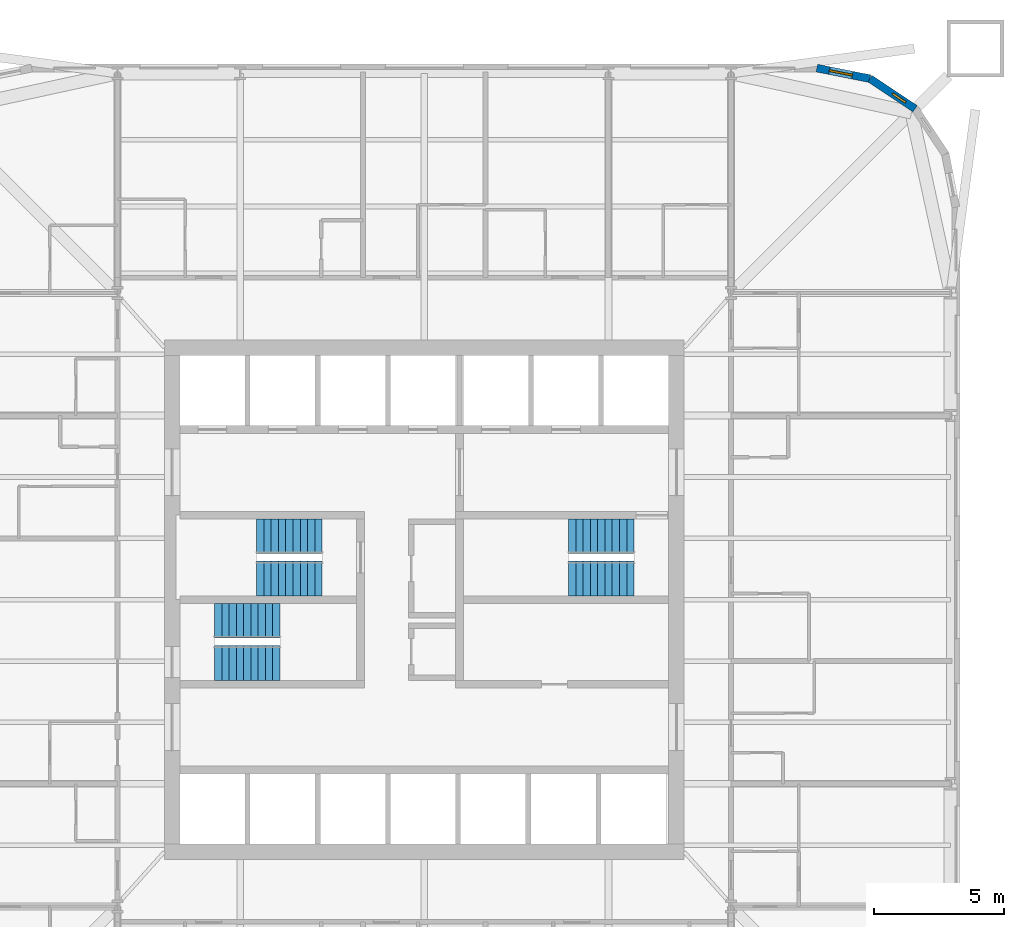
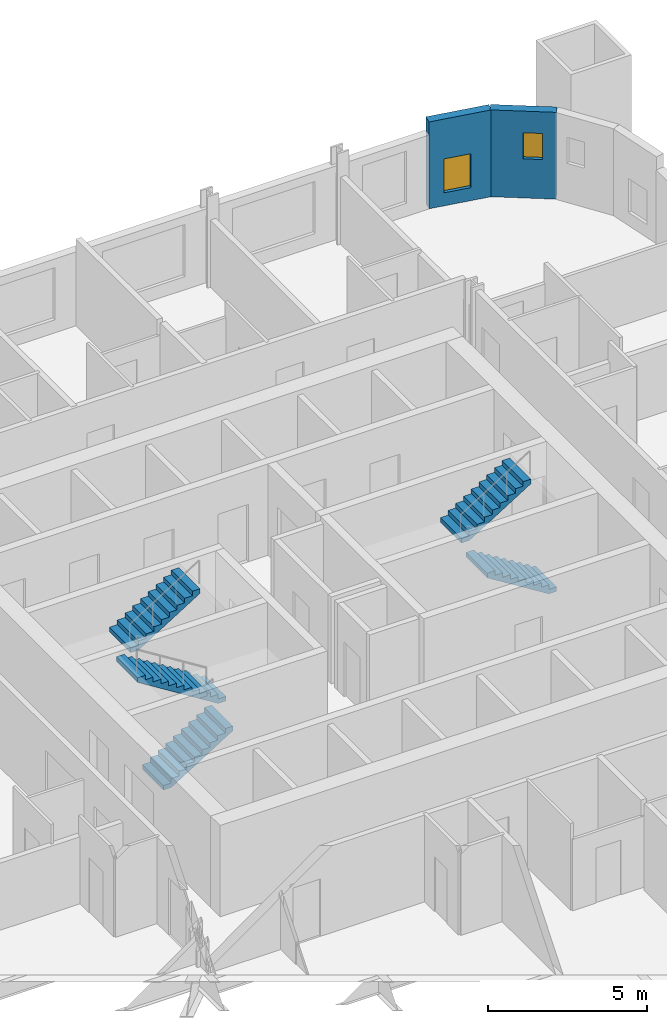
# One storey, part 8 of 9: 6 stair flights, 2 walls, 2 windows, 2 openings, 3 elements without a shape of their own.
"""IFC4 building model written with IfcOpenShell, lengths in metres."""

import ifcopenshell
import ifcopenshell.guid

model = None  # the IFC model being written
_history = None  # IfcOwnerHistory: only IFC2X3 demands one
_inside = {}  # id of a spatial element -> (the spatial element, [elements in it])
_under = {}  # id of a project, library or spatial element -> (it, [spatial elements below it])
_declared = {}  # id of a project -> (the project, [libraries it declares])
_typed = {}  # id of a type object -> (the type object, [elements of that type])
_made_of = {}  # id of a material, layer set ... -> (it, [elements and type objects made of it])


def new_model(schema):
    """Start an empty IFC model of exactly this schema.

    Asked for "IFC4X3", IfcOpenShell would pick the latest addendum, in which some entities
    have other attributes; the version numbers below select the first issue.
    IFC2X3 requires an IfcOwnerHistory on every rooted entity: one is made here for all.
    """
    global model, _history
    if schema == "IFC4X3":
        model = ifcopenshell.file(schema_version=(4, 3, 0, 0))
    else:
        model = ifcopenshell.file(schema=schema)
    _inside.clear()
    _under.clear()
    _declared.clear()
    _typed.clear()
    _made_of.clear()
    _history = None
    if model.schema == "IFC2X3":
        org = make("IfcOrganization", Name="unknown")
        user = make(
            "IfcPersonAndOrganization",
            ThePerson=make("IfcPerson", FamilyName="unknown"),
            TheOrganization=org,
        )
        app = make(
            "IfcApplication",
            ApplicationDeveloper=org,
            Version="unknown",
            ApplicationFullName="unknown",
            ApplicationIdentifier="unknown",
        )
        _history = make(
            "IfcOwnerHistory",
            OwningUser=user,
            OwningApplication=app,
            ChangeAction="ADDED",
            CreationDate=0,
        )
    return model


def make(cls, **values):
    """One entity of the class cls with the attributes given. An attribute that is None is left unset."""
    return model.create_entity(
        cls, **{name: value for name, value in values.items() if value is not None}
    )


def rooted(cls, **values):
    """An entity with a GlobalId (a new one), such as an element, a storey or a relation."""
    return make(cls, GlobalId=ifcopenshell.guid.new(), OwnerHistory=_history, **values)


def si_unit(unit_type, name, prefix=None):
    """IfcSIUnit, for example si_unit("LENGTHUNIT", "METRE", prefix="MILLI")."""
    return make("IfcSIUnit", UnitType=unit_type, Prefix=prefix, Name=name)


def assignment(units):
    """IfcUnitAssignment: the units of a project."""
    return None if units is None else make("IfcUnitAssignment", Units=units)


def point(xyz):
    """IfcCartesianPoint."""
    return None if xyz is None else make("IfcCartesianPoint", Coordinates=xyz)


def direction(xyz):
    """IfcDirection."""
    return None if xyz is None else make("IfcDirection", DirectionRatios=xyz)


def frame(location, z_axis=None, x_axis=None):
    """IfcAxis2Placement3D, a coordinate frame: its origin and axes. An axis left out is left unset."""
    return make(
        "IfcAxis2Placement3D",
        Location=point(location),
        Axis=direction(z_axis),
        RefDirection=direction(x_axis),
    )


def frame_2d(location, x_axis=None):
    """IfcAxis2Placement2D, a coordinate frame in the plane: its origin and x axis."""
    return make(
        "IfcAxis2Placement2D", Location=point(location), RefDirection=direction(x_axis)
    )


def origin():
    """The frame at (0, 0, 0) with its axes left unset."""
    return frame((0.0, 0.0, 0.0))


def place(relative_to, where):
    """IfcLocalPlacement: puts the frame where relative to a parent placement (None: the world)."""
    return make(
        "IfcLocalPlacement", PlacementRelTo=relative_to, RelativePlacement=where
    )


def context(
    kind, dimensions, precision=None, world=None, true_north=None, identifier=None
):
    """IfcGeometricRepresentationContext, for example the 3D "Model" context."""
    return make(
        "IfcGeometricRepresentationContext",
        ContextIdentifier=identifier,
        ContextType=kind,
        CoordinateSpaceDimension=dimensions,
        Precision=precision,
        WorldCoordinateSystem=world,
        TrueNorth=true_north,
    )


def subcontext(parent, identifier, kind, view, scale=None):
    """IfcGeometricRepresentationSubContext, for example "Body" below "Model"."""
    return make(
        "IfcGeometricRepresentationSubContext",
        ContextIdentifier=identifier,
        ContextType=kind,
        ParentContext=parent,
        TargetScale=scale,
        TargetView=view,
    )


def project(units=None, contexts=None):
    """IfcProject with its units and contexts."""
    return rooted(
        "IfcProject",
        Name="project",
        RepresentationContexts=contexts,
        UnitsInContext=assignment(units),
    )


def spatial(cls, under=None, at=None, **own):
    """A site, building, storey or space (cls), placed at a placement, below another one or the project."""
    s = rooted(cls, ObjectPlacement=at, **own)
    if under is not None:
        _under.setdefault(under.id(), (under, []))[1].append(s)
    return s


def polyline(points):
    """IfcPolyline through the points."""
    return make("IfcPolyline", Points=[point(p) for p in points])


def profile(cls, at=None, kind="AREA", **sizes):
    """A parametric profile (cls). Its sizes go by their IFC names, for example OverallWidth=200.0."""
    return make(cls, ProfileType=kind, Position=at, **sizes)


def rectangle(**sizes):
    """IfcRectangleProfileDef."""
    return profile("IfcRectangleProfileDef", **sizes)


def outline(outer, holes=None, kind="AREA"):
    """IfcArbitraryClosedProfileDef: a profile drawn as a closed curve; with holes, ...WithVoids."""
    if holes is None:
        return make("IfcArbitraryClosedProfileDef", ProfileType=kind, OuterCurve=outer)
    return make(
        "IfcArbitraryProfileDefWithVoids",
        ProfileType=kind,
        OuterCurve=outer,
        InnerCurves=holes,
    )


def extrude(swept, where, along, depth):
    """IfcExtrudedAreaSolid: the profile swept, set in the frame where, extruded along a direction by depth."""
    return make(
        "IfcExtrudedAreaSolid",
        SweptArea=swept,
        Position=where,
        ExtrudedDirection=direction(along),
        Depth=depth,
    )


def shape(context_of_items, identifier, shape_type, items):
    """IfcShapeRepresentation: the items that make up one representation, for example the "Body"."""
    return make(
        "IfcShapeRepresentation",
        ContextOfItems=context_of_items,
        RepresentationIdentifier=identifier,
        RepresentationType=shape_type,
        Items=items,
    )


def material(Name=None, Category=None):
    """IfcMaterial."""
    return make("IfcMaterial", Name=Name, Category=Category)


def layer(
    of_material, thickness, ventilated=None, Name=None, Category=None, Priority=None
):
    """IfcMaterialLayer: one layer of a wall or slab, of a material (None: an air gap)."""
    return make(
        "IfcMaterialLayer",
        Material=of_material,
        LayerThickness=thickness,
        IsVentilated=ventilated,
        Name=Name,
        Category=Category,
        Priority=Priority,
    )


def layer_set(layers, Name=None):
    """IfcMaterialLayerSet."""
    return make("IfcMaterialLayerSet", MaterialLayers=layers, LayerSetName=Name)


def made_of(thing, what):
    """Note that an element or type object is made of a material, layer set ...; save() writes the relation."""
    if what is not None:
        _made_of.setdefault(what.id(), (what, []))[1].append(thing)
    return thing


def type_object(cls, material=None, **own):
    """A type object (cls), such as IfcWallType, which elements share."""
    return made_of(rooted(cls, **own), material)


def element(
    cls,
    number,
    at=None,
    inside=None,
    cuts=None,
    type_object=None,
    material=None,
    context=None,
    identifier="Body",
    shape_type=None,
    held_by="IfcProductDefinitionShape",
    body=None,
    shapes=None,
    **own,
):
    """One element of the class cls, such as IfcWall. Its Tag is "e" and its number.

    at: its placement. inside: the storey or other place that contains it. cuts: it is an
    opening in that element (IfcRelVoidsElement). A single representation is given by context,
    identifier, shape_type and body (its items); several are given by shapes. held_by: the class
    of the entity that holds the representations. save() writes the other relations.
    """
    e = rooted(cls, Tag="e%d" % number, ObjectPlacement=at, **own)
    if body is not None:
        shapes = [shape(context, identifier, shape_type, body)]
    if shapes is not None:
        e.Representation = make(held_by, Representations=shapes)
    if inside is not None:
        _inside.setdefault(inside.id(), (inside, []))[1].append(e)
    if cuts is not None:
        rooted(
            "IfcRelVoidsElement", RelatingBuildingElement=cuts, RelatedOpeningElement=e
        )
    if type_object is not None:
        _typed.setdefault(type_object.id(), (type_object, []))[1].append(e)
    return made_of(e, material)


def fill(opening, filler):
    """IfcRelFillsElement: the door or window that sits in an opening."""
    return rooted(
        "IfcRelFillsElement",
        RelatingOpeningElement=opening,
        RelatedBuildingElement=filler,
    )


def aggregate(whole, parts):
    """IfcRelAggregates: a whole, such as a stair, and the parts it consists of."""
    return rooted("IfcRelAggregates", RelatingObject=whole, RelatedObjects=parts)


def save(model, path):
    """Write the relations noted so far, then the file.

    IfcRelAggregates (storeys below a building ...), IfcRelContainedInSpatialStructure (elements
    in a storey), IfcRelDefinesByType, IfcRelAssociatesMaterial and IfcRelDeclares: one each for
    every whole, place, type object, material and project.
    """
    for whole, parts in _under.values():
        aggregate(whole, parts)
    for where, things in _inside.values():
        rooted(
            "IfcRelContainedInSpatialStructure",
            RelatedElements=things,
            RelatingStructure=where,
        )
    for kind, things in _typed.values():
        rooted("IfcRelDefinesByType", RelatedObjects=things, RelatingType=kind)
    for what, things in _made_of.values():
        rooted("IfcRelAssociatesMaterial", RelatedObjects=things, RelatingMaterial=what)
    for by, libraries in _declared.values():
        rooted("IfcRelDeclares", RelatingContext=by, RelatedDefinitions=libraries)
    model.write(path)


model = new_model("IFC4")

# Units and contexts
model_context = context("Model", 3, precision=1e-05, world=origin(), true_north=direction((0.0, 1.0)))
body_context = subcontext(model_context, "Body", "Model", "MODEL_VIEW")
ifc_project = project(units=[si_unit("LENGTHUNIT", "METRE"), si_unit("AREAUNIT", "SQUARE_METRE"), si_unit("VOLUMEUNIT", "CUBIC_METRE"), si_unit("PLANEANGLEUNIT", "RADIAN"), si_unit("MASSUNIT", "GRAM", prefix="KILO")], contexts=[model_context])

# Site, building, storey
site_placement = place(None, origin())
site = spatial("IfcSite", under=ifc_project, at=site_placement, CompositionType="ELEMENT")
building_placement = place(site_placement, origin())
building = spatial("IfcBuilding", under=site, at=building_placement, Name="Turquesa Mirador Hotel Tower", CompositionType="ELEMENT")
storey_placement = place(building_placement, frame((0.0, 0.0, 96.89990234375)))
storey = spatial("IfcBuildingStorey", under=building, at=storey_placement, Name="L25", CompositionType="ELEMENT", Elevation=96.89990234375)

# Wall, opening, window
ifc_material_1 = material(Name="Limestone cladding on concrete block", Category="masonry")
ifc_layer = layer(ifc_material_1, 0.300048828125)
ifc_layer_set = layer_set([ifc_layer], Name="FACADE WALL 300 STONE SCREEN")
wall_type = type_object("IfcWallType", Name="FACADE WALL 300 STONE SCREEN", PredefinedType="SOLIDWALL", material=ifc_layer_set)
wall_1_placement = place(storey_placement, frame((73.883056640625, 63.883056640625, 0.0), z_axis=(0.0, 0.0, 1.0), x_axis=(-0.831474039234, 0.555563607591, 0.0)))
wall_1 = element("IfcWall", 1, at=wall_1_placement, inside=storey, type_object=wall_type, Name="Facade wall L25 07", PredefinedType="SOLIDWALL", context=body_context, shape_type="SweptSolid", body=[
    extrude(rectangle(XDim=2.08740234375, YDim=0.300048828125, at=frame_2d((1.043701171875, 0.0))), origin(), (0.0, 0.0, 1.0), 3.330078125),
])
opening_1_placement = place(wall_1_placement, frame((0.443603515625, 0.0, 1.5)))
opening_1 = element("IfcOpeningElement", 2, at=opening_1_placement, cuts=wall_1, Name="Opening WN11", PredefinedType="OPENING", context=body_context, shape_type="SweptSolid", body=[
    extrude(rectangle(XDim=0.60009765625, YDim=1.0, at=frame_2d((0.300048828125, 0.5))), frame((0.0, 0.159912109375, 0.0), z_axis=(0.0, -1.0, 0.0), x_axis=(1.0, 0.0, 0.0)), (0.0, 0.0, 1.0), 0.320068359375),
])
ifc_material_2 = material(Name="Ceramic-fritted laminated glass", Category="glass")
window_type_1 = type_object("IfcWindowType", Name="FRITTED CORNER WINDOW 600X1000", PartitioningType="DOUBLE_PANEL_HORIZONTAL", PredefinedType="WINDOW", material=ifc_material_2)
window_1_placement = place(opening_1_placement, origin())
window_1 = element("IfcWindow", 3, at=window_1_placement, inside=storey, type_object=window_type_1, Name="Window L25", OverallHeight=1.0, OverallWidth=0.60009765625, PartitioningType="SINGLE_PANEL", PredefinedType="WINDOW", context=body_context, shape_type="SweptSolid", body=[
    extrude(rectangle(XDim=0.60009765625, YDim=1.0, at=frame_2d((0.300048828125, 0.5))), frame((0.0, 0.030029296875, 0.0), z_axis=(0.0, -1.0, 0.0), x_axis=(1.0, 0.0, 0.0)), (0.0, 0.0, 1.0), 0.06005859375),
])
fill(opening_1, window_1)

wall_2_placement = place(storey_placement, frame((72.1474609375, 65.042724609375, 0.0), z_axis=(0.0, 0.0, 1.0), x_axis=(-0.980787050784, 0.195081421501, 0.0)))
wall_2 = element("IfcWall", 4, at=wall_2_placement, inside=storey, type_object=wall_type, Name="Facade wall L25 08", PredefinedType="SOLIDWALL", context=body_context, shape_type="SweptSolid", body=[
    extrude(rectangle(XDim=2.08740234375, YDim=0.300048828125, at=frame_2d((1.043701171875, 0.0))), origin(), (0.0, 0.0, 1.0), 3.330078125),
])
opening_2_placement = place(wall_2_placement, frame((0.693603515625, 0.0, 0.5)))
opening_2 = element("IfcOpeningElement", 5, at=opening_2_placement, cuts=wall_2, Name="Opening WN21", PredefinedType="OPENING", context=body_context, shape_type="SweptSolid", body=[
    extrude(rectangle(XDim=0.89990234375, YDim=1.300048828125, at=frame_2d((0.449951171875, 0.64990234375))), frame((0.0, 0.159912109375, 0.0), z_axis=(0.0, -1.0, 0.0), x_axis=(1.0, 0.0, 0.0)), (0.0, 0.0, 1.0), 0.320068359375),
])
ifc_material_3 = material(Name="Ceramic-fritted laminated glass", Category="glass")
window_type_2 = type_object("IfcWindowType", Name="FRITTED CORNER WINDOW 900X1300", PartitioningType="DOUBLE_PANEL_HORIZONTAL", PredefinedType="WINDOW", material=ifc_material_3)
window_2_placement = place(opening_2_placement, origin())
window_2 = element("IfcWindow", 6, at=window_2_placement, inside=storey, type_object=window_type_2, Name="Window L25", OverallHeight=1.300048828125, OverallWidth=0.89990234375, PartitioningType="SINGLE_PANEL", PredefinedType="WINDOW", context=body_context, shape_type="SweptSolid", body=[
    extrude(rectangle(XDim=0.89990234375, YDim=1.300048828125, at=frame_2d((0.449951171875, 0.64990234375))), frame((0.0, 0.030029296875, 0.0), z_axis=(0.0, -1.0, 0.0), x_axis=(1.0, 0.0, 0.0)), (0.0, 0.0, 1.0), 0.06005859375),
])
fill(opening_2, window_2)

# Stair, stair flights
ifc_material_4 = material(Name="Concrete C35/45", Category="concrete")
stair_type = type_object("IfcStairType", Name="ESCAPE STAIR CORE", PredefinedType="HALF_TURN_STAIR", material=ifc_material_4)
stair_1_placement = place(storey_placement, origin())
stair_1 = element("IfcStair", 7, at=stair_1_placement, inside=storey, type_object=stair_type, Name="Stair ST1 L25 to L26", PredefinedType="HALF_TURN_STAIR")
ifc_material_5 = material(Name="Concrete C35/45 precast flight", Category="concrete")
stair_flight_type = type_object("IfcStairFlightType", Name="STAIR FLIGHT 1330", PredefinedType="STRAIGHT", material=ifc_material_5)
stair_flight_1_placement = place(storey_placement, frame((51.070068359375, 45.81494140625, 0.0), z_axis=(0.0, 0.0, 1.0), x_axis=(-1.0, 0.0, 0.0)))
stair_flight_1 = element("IfcStairFlight", 8, at=stair_flight_1_placement, type_object=stair_flight_type, Name="ST1 flight 1", NumberOfRisers=10, NumberOfTreads=9, PredefinedType="STRAIGHT", RiserHeight=0.175, TreadLength=0.28, context=body_context, shape_type="SweptSolid", body=[
    extrude(outline(polyline([(0.0, 0.0), (0.0, 0.175048828125), (0.280029296875, 0.175048828125), (0.280029296875, 0.35009765625), (0.56005859375, 0.35009765625), (0.56005859375, 0.52490234375), (0.840087890625, 0.52490234375), (0.840087890625, 0.699951171875), (1.1201171875, 0.699951171875), (1.1201171875, 0.875), (1.39990234375, 0.875), (1.39990234375, 1.050048828125), (1.679931640625, 1.050048828125), (1.679931640625, 1.22509765625), (1.9599609375, 1.22509765625), (1.9599609375, 1.39990234375), (2.239990234375, 1.39990234375), (2.239990234375, 1.574951171875), (2.52001953125, 1.574951171875), (2.52001953125, 1.75), (2.52001953125, 1.398193359375), (0.28271484375, 0.0), (0.0, 0.0)])), frame((0.0, 0.6650390625, 0.0), z_axis=(0.0, -1.0, 0.0), x_axis=(1.0, 0.0, 0.0)), (0.0, 0.0, 1.0), 1.330078125),
])
stair_flight_2_placement = place(storey_placement, frame((48.550048828125, 47.43505859375, 1.75), z_axis=(0.0, 0.0, 1.0), x_axis=(1.0, 0.0, 0.0)))
stair_flight_2 = element("IfcStairFlight", 9, at=stair_flight_2_placement, type_object=stair_flight_type, Name="ST1 flight 2", NumberOfRisers=10, NumberOfTreads=9, PredefinedType="STRAIGHT", RiserHeight=0.175, TreadLength=0.28, context=body_context, shape_type="SweptSolid", body=[
    extrude(outline(polyline([(0.0, 0.0), (0.0, 0.175048828125), (0.280029296875, 0.175048828125), (0.280029296875, 0.35009765625), (0.56005859375, 0.35009765625), (0.56005859375, 0.52490234375), (0.840087890625, 0.52490234375), (0.840087890625, 0.699951171875), (1.1201171875, 0.699951171875), (1.1201171875, 0.875), (1.39990234375, 0.875), (1.39990234375, 1.050048828125), (1.679931640625, 1.050048828125), (1.679931640625, 1.22509765625), (1.9599609375, 1.22509765625), (1.9599609375, 1.39990234375), (2.239990234375, 1.39990234375), (2.239990234375, 1.574951171875), (2.52001953125, 1.574951171875), (2.52001953125, 1.75), (2.52001953125, 1.398193359375), (0.28271484375, 0.0), (0.0, 0.0)])), frame((0.0, 0.6650390625, 0.0), z_axis=(0.0, -1.0, 0.0), x_axis=(1.0, 0.0, 0.0)), (0.0, 0.0, 1.0), 1.330078125),
])
aggregate(stair_1, [stair_flight_1, stair_flight_2])

stair_2_placement = place(storey_placement, origin())
stair_2 = element("IfcStair", 10, at=stair_2_placement, inside=storey, type_object=stair_type, Name="Stair ST2 L25 to L26", PredefinedType="HALF_TURN_STAIR")
stair_flight_3_placement = place(storey_placement, frame((46.929931640625, 42.56494140625, 0.0), z_axis=(0.0, 0.0, 1.0), x_axis=(1.0, 0.0, 0.0)))
stair_flight_3 = element("IfcStairFlight", 11, at=stair_flight_3_placement, type_object=stair_flight_type, Name="ST2 flight 1", NumberOfRisers=10, NumberOfTreads=9, PredefinedType="STRAIGHT", RiserHeight=0.175, TreadLength=0.28, context=body_context, shape_type="SweptSolid", body=[
    extrude(outline(polyline([(0.0, 0.0), (0.0, 0.175048828125), (0.280029296875, 0.175048828125), (0.280029296875, 0.35009765625), (0.56005859375, 0.35009765625), (0.56005859375, 0.52490234375), (0.840087890625, 0.52490234375), (0.840087890625, 0.699951171875), (1.1201171875, 0.699951171875), (1.1201171875, 0.875), (1.39990234375, 0.875), (1.39990234375, 1.050048828125), (1.679931640625, 1.050048828125), (1.679931640625, 1.22509765625), (1.9599609375, 1.22509765625), (1.9599609375, 1.39990234375), (2.239990234375, 1.39990234375), (2.239990234375, 1.574951171875), (2.52001953125, 1.574951171875), (2.52001953125, 1.75), (2.52001953125, 1.398193359375), (0.28271484375, 0.0), (0.0, 0.0)])), frame((0.0, 0.6650390625, 0.0), z_axis=(0.0, -1.0, 0.0), x_axis=(1.0, 0.0, 0.0)), (0.0, 0.0, 1.0), 1.330078125),
])
stair_flight_4_placement = place(storey_placement, frame((49.449951171875, 44.18505859375, 1.75), z_axis=(0.0, 0.0, 1.0), x_axis=(-1.0, 0.0, 0.0)))
stair_flight_4 = element("IfcStairFlight", 12, at=stair_flight_4_placement, type_object=stair_flight_type, Name="ST2 flight 2", NumberOfRisers=10, NumberOfTreads=9, PredefinedType="STRAIGHT", RiserHeight=0.175, TreadLength=0.28, context=body_context, shape_type="SweptSolid", body=[
    extrude(outline(polyline([(0.0, 0.0), (0.0, 0.175048828125), (0.280029296875, 0.175048828125), (0.280029296875, 0.35009765625), (0.56005859375, 0.35009765625), (0.56005859375, 0.52490234375), (0.840087890625, 0.52490234375), (0.840087890625, 0.699951171875), (1.1201171875, 0.699951171875), (1.1201171875, 0.875), (1.39990234375, 0.875), (1.39990234375, 1.050048828125), (1.679931640625, 1.050048828125), (1.679931640625, 1.22509765625), (1.9599609375, 1.22509765625), (1.9599609375, 1.39990234375), (2.239990234375, 1.39990234375), (2.239990234375, 1.574951171875), (2.52001953125, 1.574951171875), (2.52001953125, 1.75), (2.52001953125, 1.398193359375), (0.28271484375, 0.0), (0.0, 0.0)])), frame((0.0, 0.6650390625, 0.0), z_axis=(0.0, -1.0, 0.0), x_axis=(1.0, 0.0, 0.0)), (0.0, 0.0, 1.0), 1.330078125),
])
aggregate(stair_2, [stair_flight_3, stair_flight_4])

stair_3_placement = place(storey_placement, origin())
stair_3 = element("IfcStair", 13, at=stair_3_placement, inside=storey, type_object=stair_type, Name="Stair ST3 L25 to L26", PredefinedType="HALF_TURN_STAIR")
stair_flight_5_placement = place(storey_placement, frame((63.070068359375, 45.81494140625, 0.0), z_axis=(0.0, 0.0, 1.0), x_axis=(-1.0, 0.0, 0.0)))
stair_flight_5 = element("IfcStairFlight", 14, at=stair_flight_5_placement, type_object=stair_flight_type, Name="ST3 flight 1", NumberOfRisers=10, NumberOfTreads=9, PredefinedType="STRAIGHT", RiserHeight=0.175, TreadLength=0.28, context=body_context, shape_type="SweptSolid", body=[
    extrude(outline(polyline([(0.0, 0.0), (0.0, 0.175048828125), (0.280029296875, 0.175048828125), (0.280029296875, 0.35009765625), (0.56005859375, 0.35009765625), (0.56005859375, 0.52490234375), (0.840087890625, 0.52490234375), (0.840087890625, 0.699951171875), (1.1201171875, 0.699951171875), (1.1201171875, 0.875), (1.39990234375, 0.875), (1.39990234375, 1.050048828125), (1.679931640625, 1.050048828125), (1.679931640625, 1.22509765625), (1.9599609375, 1.22509765625), (1.9599609375, 1.39990234375), (2.239990234375, 1.39990234375), (2.239990234375, 1.574951171875), (2.52001953125, 1.574951171875), (2.52001953125, 1.75), (2.52001953125, 1.398193359375), (0.28271484375, 0.0), (0.0, 0.0)])), frame((0.0, 0.6650390625, 0.0), z_axis=(0.0, -1.0, 0.0), x_axis=(1.0, 0.0, 0.0)), (0.0, 0.0, 1.0), 1.330078125),
])
stair_flight_6_placement = place(storey_placement, frame((60.550048828125, 47.43505859375, 1.75), z_axis=(0.0, 0.0, 1.0), x_axis=(1.0, 0.0, 0.0)))
stair_flight_6 = element("IfcStairFlight", 15, at=stair_flight_6_placement, type_object=stair_flight_type, Name="ST3 flight 2", NumberOfRisers=10, NumberOfTreads=9, PredefinedType="STRAIGHT", RiserHeight=0.175, TreadLength=0.28, context=body_context, shape_type="SweptSolid", body=[
    extrude(outline(polyline([(0.0, 0.0), (0.0, 0.175048828125), (0.280029296875, 0.175048828125), (0.280029296875, 0.35009765625), (0.56005859375, 0.35009765625), (0.56005859375, 0.52490234375), (0.840087890625, 0.52490234375), (0.840087890625, 0.699951171875), (1.1201171875, 0.699951171875), (1.1201171875, 0.875), (1.39990234375, 0.875), (1.39990234375, 1.050048828125), (1.679931640625, 1.050048828125), (1.679931640625, 1.22509765625), (1.9599609375, 1.22509765625), (1.9599609375, 1.39990234375), (2.239990234375, 1.39990234375), (2.239990234375, 1.574951171875), (2.52001953125, 1.574951171875), (2.52001953125, 1.75), (2.52001953125, 1.398193359375), (0.28271484375, 0.0), (0.0, 0.0)])), frame((0.0, 0.6650390625, 0.0), z_axis=(0.0, -1.0, 0.0), x_axis=(1.0, 0.0, 0.0)), (0.0, 0.0, 1.0), 1.330078125),
])
aggregate(stair_3, [stair_flight_5, stair_flight_6])

save(model, "model.ifc")
